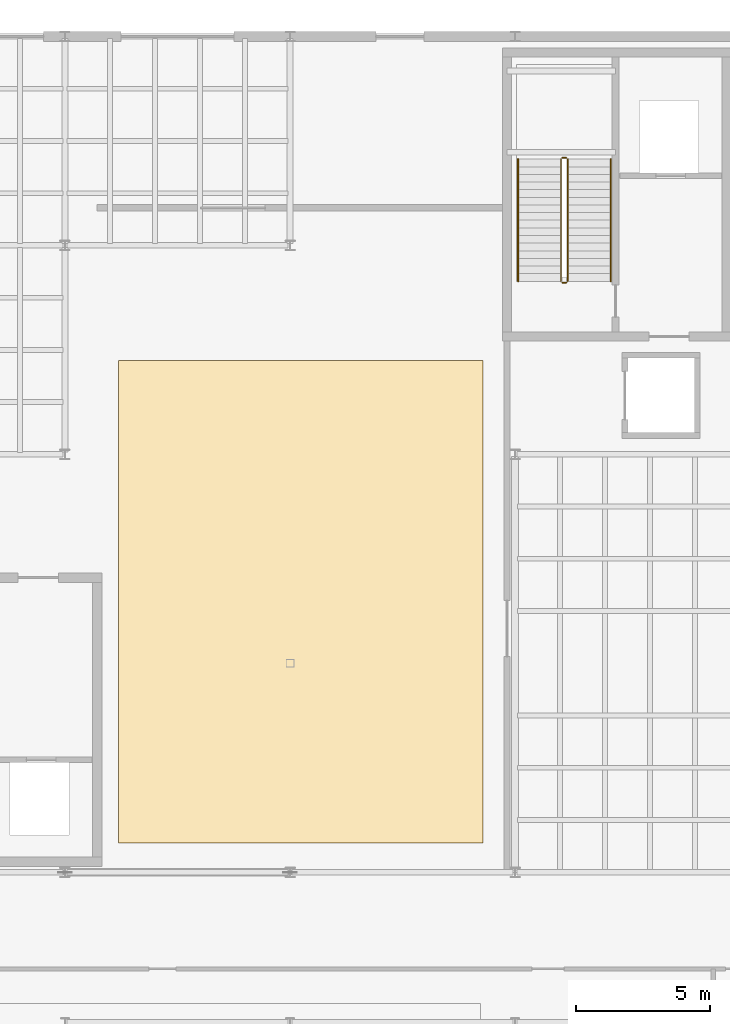
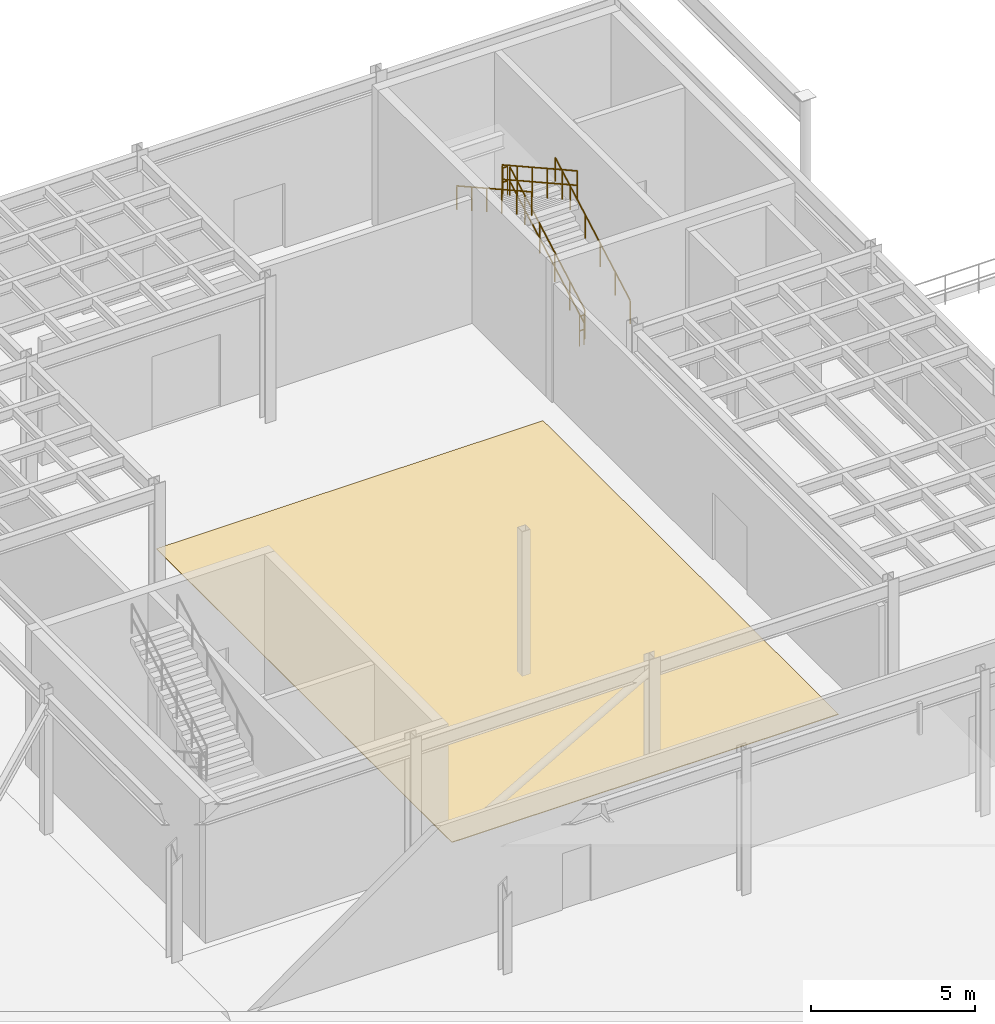
# One storey, part 81 of 87: 6 railings, 1 covering.
"""IFC4 building model written with IfcOpenShell, lengths in metres."""

from ifc_helpers import new_model, si_unit, direction, frame, origin, origin_2d, place, context, subcontext, project, spatial, polyline, circle, outline, extrude, material, layer, layer_set, type_object, element, save


model = new_model("IFC4")

# Units and contexts
model_context = context("Model", 3, precision=1e-05, world=origin(), true_north=direction((0.0, 1.0)))
body_context = subcontext(model_context, "Body", "Model", "MODEL_VIEW")
ifc_project = project(units=[si_unit("LENGTHUNIT", "METRE"), si_unit("AREAUNIT", "SQUARE_METRE"), si_unit("VOLUMEUNIT", "CUBIC_METRE"), si_unit("PLANEANGLEUNIT", "RADIAN"), si_unit("MASSUNIT", "GRAM", prefix="KILO")], contexts=[model_context])

# Site, building, storey
site_placement = place(None, origin())
site = spatial("IfcSite", under=ifc_project, at=site_placement, CompositionType="ELEMENT")
building_placement = place(site_placement, origin())
building = spatial("IfcBuilding", under=site, at=building_placement, Name="Selat Folded Stagehouse", CompositionType="ELEMENT")
storey_placement = place(building_placement, origin())
storey = spatial("IfcBuildingStorey", under=building, at=storey_placement, Name="L00", CompositionType="ELEMENT", Elevation=0.0)

# Covering
ifc_material_1 = material(Name="Sprung black-stained oak stage and studio flooring", Category="wood")
ifc_layer_1 = layer(ifc_material_1, 0.02490234375)
ifc_layer_set_1 = layer_set([ifc_layer_1], Name="Sprung black-stained oak stage and studio flooring")
covering_type = type_object("IfcCoveringType", Name="COV-FLR-TIM25", PredefinedType="FLOORING", material=ifc_layer_set_1)
covering_placement = place(storey_placement, origin())
element("IfcCovering", 1, at=covering_placement, inside=storey, type_object=covering_type, Name="L00 sprung oak stage flooring FLR-L00-STG", PredefinedType="FLOORING", context=body_context, shape_type="SweptSolid", body=[
    extrude(outline(polyline([(44.0, 24.5), (57.60009765625, 24.5), (57.60009765625, 42.5), (44.0, 42.5), (44.0, 24.5)])), origin(), (0.0, 0.0, 1.0), 0.02490234375),
])

# Railings
ifc_material_2 = material(Name="Bronze-anodised steel balustrade", Category="steel")
ifc_layer_2 = layer(ifc_material_2, 0.06494140625)
ifc_layer_set_2 = layer_set([ifc_layer_2], Name="Bronze-anodised steel balustrade")
railing_type_1 = type_object("IfcRailingType", Name="RLG-BAL-1120", PredefinedType="BALUSTRADE", material=ifc_layer_set_2)
railing_1_placement = place(storey_placement, frame((60.77001953125, 45.4599609375, 0.158935546875)))
element("IfcRailing", 2, at=railing_1_placement, inside=storey, type_object=railing_type_1, Name="L00 ST-02 stair well guard 1", PredefinedType="BALUSTRADE", context=body_context, shape_type="SweptSolid", body=[
    extrude(circle(Radius=0.02392578125, at=origin_2d()), frame((0.0, 0.0, 1.09619140625), z_axis=(0.0, 0.873534455015, 0.486762319723), x_axis=(-1.0, 0.0, 0.0)), (0.0, 0.0, 1.0), 5.22021484375),
    extrude(circle(Radius=0.02392578125, at=origin_2d()), frame((0.0, 0.0, 0.56005859375), z_axis=(0.0, 0.873534455015, 0.486762319723), x_axis=(-1.0, 0.0, 0.0)), (0.0, 0.0, 1.0), 5.22021484375),
    extrude(circle(Radius=0.02099609375, at=origin_2d()), origin(), (0.0, 0.0, 1.0), 1.072021484375),
    extrude(circle(Radius=0.02099609375, at=origin_2d()), frame((0.0, 0.912109375, 0.50830078125)), (0.0, 0.0, 1.0), 1.072021484375),
    extrude(circle(Radius=0.02099609375, at=origin_2d()), frame((0.0, 1.823974609375, 1.016357421875)), (0.0, 0.0, 1.0), 1.072021484375),
    extrude(circle(Radius=0.02099609375, at=origin_2d()), frame((0.0, 2.736083984375, 1.524658203125)), (0.0, 0.0, 1.0), 1.072021484375),
    extrude(circle(Radius=0.02099609375, at=origin_2d()), frame((0.0, 3.64794921875, 2.03271484375)), (0.0, 0.0, 1.0), 1.072021484375),
    extrude(circle(Radius=0.02099609375, at=origin_2d()), frame((0.0, 4.56005859375, 2.541015625)), (0.0, 0.0, 1.0), 1.072021484375),
])
railing_2_placement = place(storey_placement, frame((60.719970703125, 50.070068359375, 2.699951171875)))
element("IfcRailing", 3, at=railing_2_placement, inside=storey, type_object=railing_type_1, Name="L00 ST-02 stair well guard 2", PredefinedType="BALUSTRADE", context=body_context, shape_type="SweptSolid", body=[
    extrude(circle(Radius=0.02392578125, at=origin_2d()), frame((0.0, 0.0, 1.09619140625), z_axis=(-1.0, 0.0, 0.0), x_axis=(0.0, -1.0, 0.0)), (0.0, 0.0, 1.0), 0.159912109375),
    extrude(circle(Radius=0.02392578125, at=origin_2d()), frame((0.0, 0.0, 0.56005859375), z_axis=(-1.0, 0.0, 0.0), x_axis=(0.0, -1.0, 0.0)), (0.0, 0.0, 1.0), 0.159912109375),
    extrude(circle(Radius=0.02099609375, at=origin_2d()), origin(), (0.0, 0.0, 1.0), 1.072021484375),
    extrude(circle(Radius=0.02099609375, at=origin_2d()), frame((-0.159912109375, 0.0, 0.0)), (0.0, 0.0, 1.0), 1.072021484375),
])
railing_3_placement = place(storey_placement, frame((60.510009765625, 50.02001953125, 2.85888671875)))
element("IfcRailing", 4, at=railing_3_placement, inside=storey, type_object=railing_type_1, Name="L00 ST-02 stair well guard 3", PredefinedType="BALUSTRADE", context=body_context, shape_type="SweptSolid", body=[
    extrude(circle(Radius=0.02392578125, at=origin_2d()), frame((0.0, 0.0, 1.09619140625), z_axis=(0.0, -0.873534455015, 0.486762319723), x_axis=(1.0, 0.0, 0.0)), (0.0, 0.0, 1.0), 5.22021484375),
    extrude(circle(Radius=0.02392578125, at=origin_2d()), frame((0.0, 0.0, 0.56005859375), z_axis=(0.0, -0.873534455015, 0.486762319723), x_axis=(1.0, 0.0, 0.0)), (0.0, 0.0, 1.0), 5.22021484375),
    extrude(circle(Radius=0.02099609375, at=origin_2d()), origin(), (0.0, 0.0, 1.0), 1.072021484375),
    extrude(circle(Radius=0.02099609375, at=origin_2d()), frame((0.0, -0.912109375, 0.50830078125)), (0.0, 0.0, 1.0), 1.072021484375),
    extrude(circle(Radius=0.02099609375, at=origin_2d()), frame((0.0, -1.823974609375, 1.016357421875)), (0.0, 0.0, 1.0), 1.072021484375),
    extrude(circle(Radius=0.02099609375, at=origin_2d()), frame((0.0, -2.736083984375, 1.524658203125)), (0.0, 0.0, 1.0), 1.072021484375),
    extrude(circle(Radius=0.02099609375, at=origin_2d()), frame((0.0, -3.64794921875, 2.03271484375)), (0.0, 0.0, 1.0), 1.072021484375),
    extrude(circle(Radius=0.02099609375, at=origin_2d()), frame((0.0, -4.56005859375, 2.541015625)), (0.0, 0.0, 1.0), 1.072021484375),
])
railing_4_placement = place(storey_placement, frame((60.719970703125, 45.409912109375, 0.0)))
element("IfcRailing", 5, at=railing_4_placement, inside=storey, type_object=railing_type_1, Name="L00 ST-02 stair well guard 4", PredefinedType="BALUSTRADE", context=body_context, shape_type="SweptSolid", body=[
    extrude(circle(Radius=0.02392578125, at=origin_2d()), frame((0.0, 0.0, 1.09619140625), z_axis=(-1.0, 0.0, 0.0), x_axis=(0.0, -1.0, 0.0)), (0.0, 0.0, 1.0), 0.159912109375),
    extrude(circle(Radius=0.02392578125, at=origin_2d()), frame((0.0, 0.0, 0.56005859375), z_axis=(-1.0, 0.0, 0.0), x_axis=(0.0, -1.0, 0.0)), (0.0, 0.0, 1.0), 0.159912109375),
    extrude(circle(Radius=0.02099609375, at=origin_2d()), origin(), (0.0, 0.0, 1.0), 1.072021484375),
    extrude(circle(Radius=0.02099609375, at=origin_2d()), frame((-0.159912109375, 0.0, 0.0)), (0.0, 0.0, 1.0), 1.072021484375),
])
ifc_material_3 = material(Name="Brushed stainless steel 1.4301", Category="steel")
ifc_layer_3 = layer(ifc_material_3, 0.048095703125)
ifc_layer_set_3 = layer_set([ifc_layer_3], Name="Brushed stainless steel 1.4301")
railing_type_2 = type_object("IfcRailingType", Name="RLG-HANDRAIL-900", PredefinedType="HANDRAIL", material=ifc_layer_set_3)
railing_5_placement = place(storey_placement, frame((62.3701171875, 45.4599609375, 0.158935546875)))
element("IfcRailing", 6, at=railing_5_placement, inside=storey, type_object=railing_type_2, Name="L00 ST-02 wall handrail 1", PredefinedType="HANDRAIL", context=body_context, shape_type="SweptSolid", body=[
    extrude(circle(Radius=0.02392578125, at=origin_2d()), frame((0.0, 0.0, 0.8759765625), z_axis=(0.0, 0.873534455015, 0.486762319723), x_axis=(-1.0, 0.0, 0.0)), (0.0, 0.0, 1.0), 5.22021484375),
    extrude(circle(Radius=0.02099609375, at=origin_2d()), origin(), (0.0, 0.0, 1.0), 0.851806640625),
    extrude(circle(Radius=0.02099609375, at=origin_2d()), frame((0.0, 0.912109375, 0.50830078125)), (0.0, 0.0, 1.0), 0.851806640625),
    extrude(circle(Radius=0.02099609375, at=origin_2d()), frame((0.0, 1.823974609375, 1.016357421875)), (0.0, 0.0, 1.0), 0.851806640625),
    extrude(circle(Radius=0.02099609375, at=origin_2d()), frame((0.0, 2.736083984375, 1.524658203125)), (0.0, 0.0, 1.0), 0.851806640625),
    extrude(circle(Radius=0.02099609375, at=origin_2d()), frame((0.0, 3.64794921875, 2.03271484375)), (0.0, 0.0, 1.0), 0.851806640625),
    extrude(circle(Radius=0.02099609375, at=origin_2d()), frame((0.0, 4.56005859375, 2.541015625)), (0.0, 0.0, 1.0), 0.851806640625),
])
railing_6_placement = place(storey_placement, frame((58.909912109375, 50.02001953125, 2.85888671875)))
element("IfcRailing", 7, at=railing_6_placement, inside=storey, type_object=railing_type_2, Name="L00 ST-02 wall handrail 2", PredefinedType="HANDRAIL", context=body_context, shape_type="SweptSolid", body=[
    extrude(circle(Radius=0.02392578125, at=origin_2d()), frame((0.0, 0.0, 0.8759765625), z_axis=(0.0, -0.873534455015, 0.486762319723), x_axis=(1.0, 0.0, 0.0)), (0.0, 0.0, 1.0), 5.22021484375),
    extrude(circle(Radius=0.02099609375, at=origin_2d()), origin(), (0.0, 0.0, 1.0), 0.851806640625),
    extrude(circle(Radius=0.02099609375, at=origin_2d()), frame((0.0, -0.912109375, 0.50830078125)), (0.0, 0.0, 1.0), 0.851806640625),
    extrude(circle(Radius=0.02099609375, at=origin_2d()), frame((0.0, -1.823974609375, 1.016357421875)), (0.0, 0.0, 1.0), 0.851806640625),
    extrude(circle(Radius=0.02099609375, at=origin_2d()), frame((0.0, -2.736083984375, 1.524658203125)), (0.0, 0.0, 1.0), 0.851806640625),
    extrude(circle(Radius=0.02099609375, at=origin_2d()), frame((0.0, -3.64794921875, 2.03271484375)), (0.0, 0.0, 1.0), 0.851806640625),
    extrude(circle(Radius=0.02099609375, at=origin_2d()), frame((0.0, -4.56005859375, 2.541015625)), (0.0, 0.0, 1.0), 0.851806640625),
])

save(model, "model.ifc")
